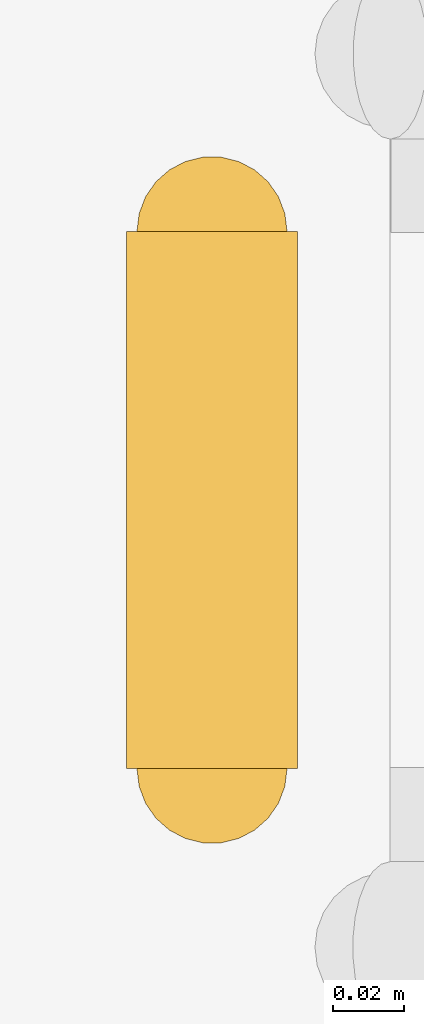
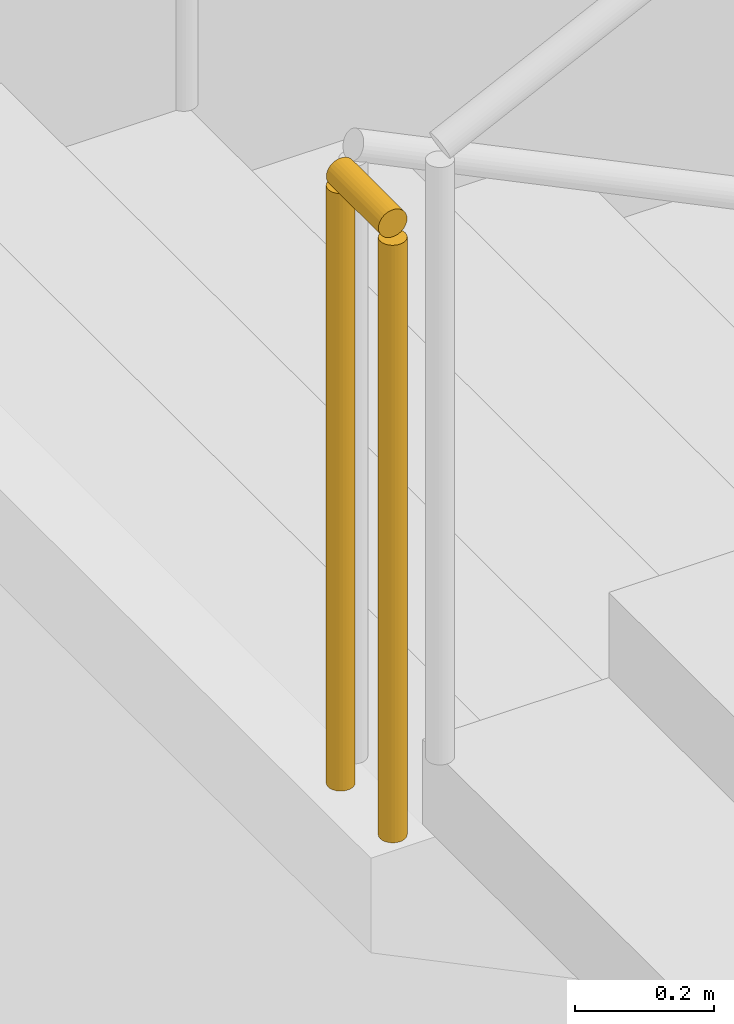
# One storey, part 61 of 64: 1 railing.
"""IFC4 building model written with IfcOpenShell, lengths in metres."""

from ifc_helpers import new_model, si_unit, direction, frame, origin, origin_2d, place, context, subcontext, project, spatial, circle, extrude, material, type_object, element, save


model = new_model("IFC4")

# Units and contexts
model_context = context("Model", 3, precision=1e-05, world=origin(), true_north=direction((0.0, 1.0)))
body_context = subcontext(model_context, "Body", "Model", "MODEL_VIEW")
ifc_project = project(units=[si_unit("LENGTHUNIT", "METRE"), si_unit("AREAUNIT", "SQUARE_METRE"), si_unit("VOLUMEUNIT", "CUBIC_METRE"), si_unit("PLANEANGLEUNIT", "RADIAN"), si_unit("MASSUNIT", "GRAM", prefix="KILO")], contexts=[model_context])

# Site, building, storey
site_placement = place(None, origin())
site = spatial("IfcSite", under=ifc_project, at=site_placement, CompositionType="ELEMENT")
building_placement = place(site_placement, origin())
building = spatial("IfcBuilding", under=site, at=building_placement, Name="Solvadek Multi-Sports Hall", CompositionType="ELEMENT")
storey_placement = place(building_placement, frame((0.0, 0.0, -4.800048828125)))
storey = spatial("IfcBuildingStorey", under=building, at=storey_placement, Name="B1", CompositionType="ELEMENT", Elevation=-4.800048828125)

# Railing
ifc_material = material(Name="Steel E250 (250 MPa)", Category="steel")
railing_type = type_object("IfcRailingType", Name="INT-RAL-GRD115", PredefinedType="BALUSTRADE", material=ifc_material)
railing_placement = place(storey_placement, frame((141.60009765625, 67.35009765625, 2.400146484375)))
element("IfcRailing", 1, at=railing_placement, inside=storey, type_object=railing_type, Name="B1 ST-06 stair guard 2", PredefinedType="BALUSTRADE", context=body_context, shape_type="SweptSolid", body=[
    extrude(circle(Radius=0.02392578125, at=origin_2d()), frame((0.0, 0.0, 1.076171875), z_axis=(0.0, -1.0, 0.0), x_axis=(1.0, 0.0, 0.0)), (0.0, 0.0, 1.0), 0.150146484375),
    extrude(circle(Radius=0.02099609375, at=origin_2d()), origin(), (0.0, 0.0, 1.0), 1.052001953125),
    extrude(circle(Radius=0.02099609375, at=origin_2d()), frame((0.0, -0.150146484375, 0.0)), (0.0, 0.0, 1.0), 1.052001953125),
])

save(model, "model.ifc")
